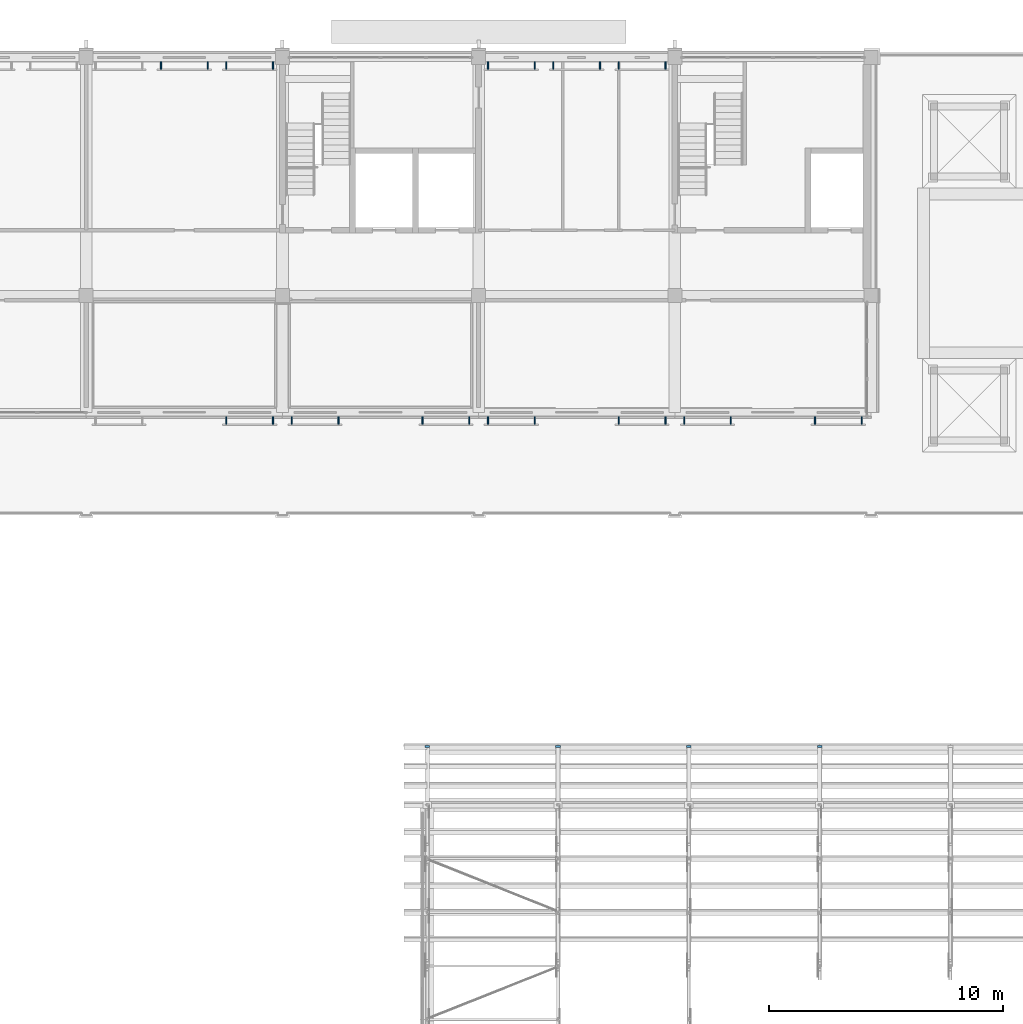
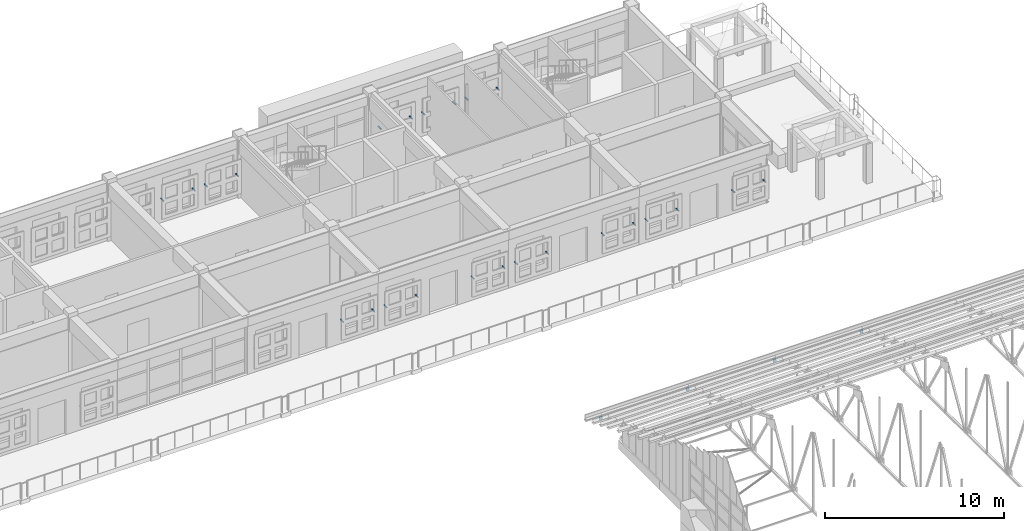
# One storey, part 60 of 71: 28 discrete accessories.
"""IFC4 building model written with IfcOpenShell, lengths in metres."""

from ifc_helpers import new_model, si_unit, direction, frame, origin, origin_2d, place, context, subcontext, project, spatial, rectangle, extrude, material, type_object, element, save


model = new_model("IFC4")

# Units and contexts
model_context = context("Model", 3, precision=1e-05, world=origin(), true_north=direction((0.0, 1.0)))
body_context = subcontext(model_context, "Body", "Model", "MODEL_VIEW")
ifc_project = project(units=[si_unit("LENGTHUNIT", "METRE"), si_unit("AREAUNIT", "SQUARE_METRE"), si_unit("VOLUMEUNIT", "CUBIC_METRE"), si_unit("PLANEANGLEUNIT", "RADIAN"), si_unit("MASSUNIT", "GRAM", prefix="KILO")], contexts=[model_context])

# Site, building, storey
site_placement = place(None, origin())
site = spatial("IfcSite", under=ifc_project, at=site_placement, CompositionType="ELEMENT")
building_placement = place(site_placement, origin())
building = spatial("IfcBuilding", under=site, at=building_placement, Name="Wasatch Bagh Community Centre", CompositionType="ELEMENT")
storey_placement = place(building_placement, frame((0.0, 0.0, 12.60009765625)))
storey = spatial("IfcBuildingStorey", under=building, at=storey_placement, Name="L03", CompositionType="ELEMENT", Elevation=12.60009765625)

# Discrete accessories
ifc_material = material(Name="Galvanised steel", Category="steel")
discrete_accessory_type = type_object("IfcDiscreteAccessoryType", Name="LW jali bracket", PredefinedType="BRACKET", material=ifc_material)
for number, where, z_axis, x_axis, name in (
    (1, (103.60009765625, 82.260009765625, 1.634765625), (0.0, 0.0, 1.0), (1.0, 0.0, 0.0), "Jali bracket"),
    (2, (105.60009765625, 82.260009765625, 1.634765625), (0.0, 0.0, 1.0), (1.0, 0.0, 0.0), "Jali bracket"),
    (3, (106.39990234375, 82.260009765625, 1.634765625), (0.0, 0.0, 1.0), (1.0, 0.0, 0.0), "Jali bracket"),
    (4, (108.39990234375, 82.260009765625, 1.634765625), (0.0, 0.0, 1.0), (1.0, 0.0, 0.0), "Jali bracket"),
    (5, (112.0, 82.260009765625, 1.634765625), (0.0, 0.0, 1.0), (1.0, 0.0, 0.0), "Jali bracket"),
    (6, (114.0, 82.260009765625, 1.634765625), (0.0, 0.0, 1.0), (1.0, 0.0, 0.0), "Jali bracket"),
    (7, (114.800048828125, 82.260009765625, 1.634765625), (0.0, 0.0, 1.0), (1.0, 0.0, 0.0), "Jali bracket"),
    (8, (116.800048828125, 82.260009765625, 1.634765625), (0.0, 0.0, 1.0), (1.0, 0.0, 0.0), "Jali bracket"),
    (9, (120.39990234375, 82.260009765625, 1.634765625), (0.0, 0.0, 1.0), (1.0, 0.0, 0.0), "Jali bracket"),
    (10, (122.39990234375, 82.260009765625, 1.634765625), (0.0, 0.0, 1.0), (1.0, 0.0, 0.0), "Jali bracket"),
    (11, (123.199951171875, 82.260009765625, 1.634765625), (0.0, 0.0, 1.0), (1.0, 0.0, 0.0), "Jali bracket"),
    (12, (125.199951171875, 82.260009765625, 1.634765625), (0.0, 0.0, 1.0), (1.0, 0.0, 0.0), "Jali bracket"),
    (13, (128.800048828125, 82.260009765625, 1.634765625), (0.0, 0.0, 1.0), (1.0, 0.0, 0.0), "Jali bracket"),
    (14, (130.800048828125, 82.260009765625, 1.634765625), (0.0, 0.0, 1.0), (1.0, 0.0, 0.0), "Jali bracket"),
    (15, (100.800048828125, 97.4599609375, 1.634765625), (0.0, 0.0, 1.0), (1.0, 0.0, 0.0), "Jali bracket"),
    (16, (102.800048828125, 97.4599609375, 1.634765625), (0.0, 0.0, 1.0), (1.0, 0.0, 0.0), "Jali bracket"),
    (17, (103.60009765625, 97.4599609375, 1.634765625), (0.0, 0.0, 1.0), (1.0, 0.0, 0.0), "Jali bracket"),
    (18, (105.60009765625, 97.4599609375, 1.634765625), (0.0, 0.0, 1.0), (1.0, 0.0, 0.0), "Jali bracket"),
    (19, (114.800048828125, 97.4599609375, 1.634765625), (0.0, 0.0, 1.0), (1.0, 0.0, 0.0), "Jali bracket"),
    (20, (116.800048828125, 97.4599609375, 1.634765625), (0.0, 0.0, 1.0), (1.0, 0.0, 0.0), "Jali bracket"),
    (21, (117.60009765625, 97.4599609375, 1.634765625), (0.0, 0.0, 1.0), (1.0, 0.0, 0.0), "Jali bracket"),
    (22, (119.60009765625, 97.4599609375, 1.634765625), (0.0, 0.0, 1.0), (1.0, 0.0, 0.0), "Jali bracket"),
    (23, (120.39990234375, 97.4599609375, 1.634765625), (0.0, 0.0, 1.0), (1.0, 0.0, 0.0), "Jali bracket"),
    (24, (122.39990234375, 97.4599609375, 1.634765625), (0.0, 0.0, 1.0), (1.0, 0.0, 0.0), "Jali bracket"),
):
    element("IfcDiscreteAccessory", number, at=place(storey_placement, frame(where, z_axis=z_axis, x_axis=x_axis)), inside=storey, type_object=discrete_accessory_type, Name=name, PredefinedType="BRACKET", context=body_context, shape_type="SweptSolid", body=[
        extrude(rectangle(XDim=0.050048828125, YDim=0.320068359375, at=origin_2d()), origin(), (0.0, 0.0, 1.0), 0.050048828125),
    ])
for number, where, z_axis, x_axis, name in (
    (25, (112.199951171875, 68.300048828125, 0.490234375), (0.0, 0.928476690885, -0.371390676354), (-1.0, 0.0, 0.0), "SH.SA1.TC14.EPB"),
    (26, (117.800048828125, 68.300048828125, 0.490234375), (0.0, 0.928476690885, -0.371390676354), (-1.0, 0.0, 0.0), "SH.SA2.TC14.EPB"),
    (27, (123.39990234375, 68.300048828125, 0.490234375), (0.0, 0.928476690885, -0.371390676354), (-1.0, 0.0, 0.0), "SH.SA3.TC14.EPB"),
    (28, (129.0, 68.300048828125, 0.490234375), (0.0, 0.928476690885, -0.371390676354), (-1.0, 0.0, 0.0), "SH.SA4.TC14.EPB"),
):
    element("IfcDiscreteAccessory", number, at=place(storey_placement, frame(where, z_axis=z_axis, x_axis=x_axis)), inside=storey, Name=name, PredefinedType="NOTDEFINED", context=body_context, shape_type="SweptSolid", body=[
        extrude(rectangle(XDim=0.203125, YDim=0.203125, at=origin_2d()), origin(), (0.0, 0.0, 1.0), 0.01171875),
    ])

save(model, "model.ifc")
